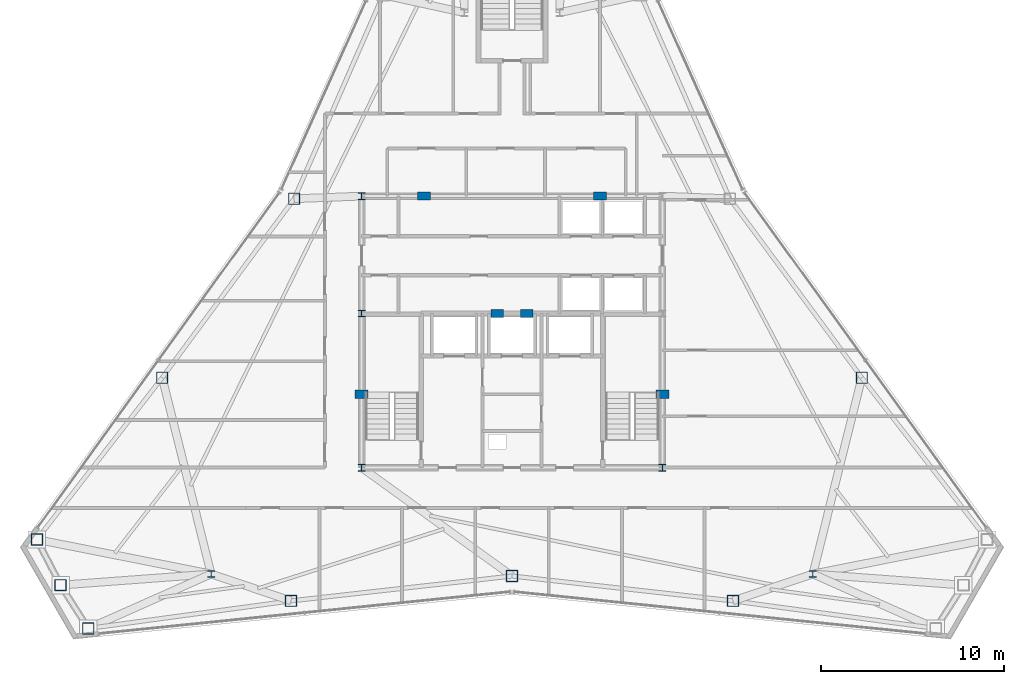
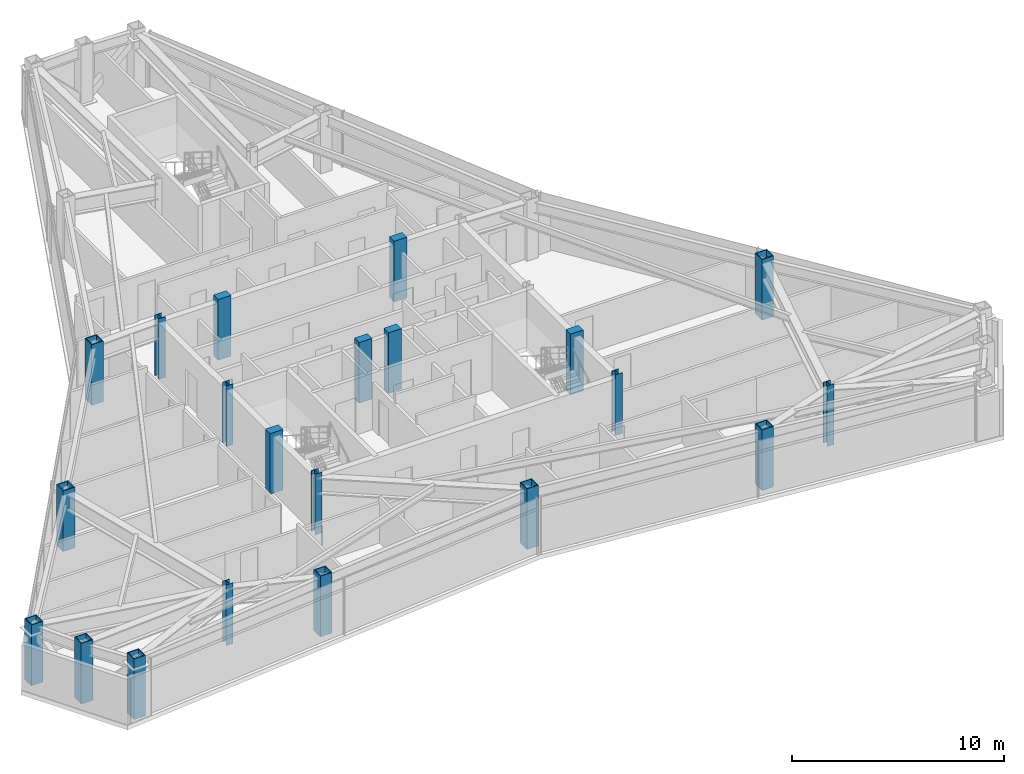
# One storey, part 1 of 12: 21 columns.
"""IFC4 building model written with IfcOpenShell, lengths in metres."""

from ifc_helpers import new_model, si_unit, direction, frame, origin, origin_2d, place, context, subcontext, project, spatial, rectangle, hollow_rectangle, i_section, extrude, material, material_profile, profile_set, type_object, element, save


model = new_model("IFC4")

# Units and contexts
model_context = context("Model", 3, precision=1e-05, world=origin(), true_north=direction((0.0, 1.0)))
body_context = subcontext(model_context, "Body", "Model", "MODEL_VIEW")
ifc_project = project(units=[si_unit("LENGTHUNIT", "METRE"), si_unit("AREAUNIT", "SQUARE_METRE"), si_unit("VOLUMEUNIT", "CUBIC_METRE"), si_unit("PLANEANGLEUNIT", "RADIAN"), si_unit("MASSUNIT", "GRAM", prefix="KILO")], contexts=[model_context])

# Site, building, storey
site_placement = place(None, origin())
site = spatial("IfcSite", under=ifc_project, at=site_placement, CompositionType="ELEMENT")
building_placement = place(site_placement, origin())
building = spatial("IfcBuilding", under=site, at=building_placement, Name="Varakhsha Concourse Tower", CompositionType="ELEMENT")
storey_placement = place(building_placement, frame((0.0, 0.0, 258.5)))
storey = spatial("IfcBuildingStorey", under=building, at=storey_placement, Name="L73", CompositionType="ELEMENT", Elevation=258.5)

# Columns
ifc_material_1 = material(Name="Structural Steel ASTM A992 Grade 50", Category="steel")
ifc_material_profile_1 = material_profile(ifc_material_1, i_section(OverallWidth=0.3740234375, OverallDepth=0.3720703125, WebThickness=0.01611328125, FlangeThickness=0.02587890625, at=origin_2d()), Name="W14X132")
ifc_profile_set_1 = profile_set([ifc_material_profile_1], Name="Structural Steel ASTM A992 Grade 50")
column_type_1 = type_object("IfcColumnType", Name="CL-CORE-W14X132", PredefinedType="COLUMN", material=ifc_profile_set_1)
for number, where, z_axis, x_axis, name in (
    (1, (31.800048828125, 16.39990234375, 0.0), (0.0, 0.0, 1.0), (1.0, 0.0, 0.0), "L73 Core Column CC-SW"),
    (2, (48.199951171875, 16.39990234375, 0.0), (0.0, 0.0, 1.0), (1.0, 0.0, 0.0), "L73 Core Column CC-SE"),
    (3, (31.800048828125, 24.800048828125, 0.0), (0.0, 0.0, 1.0), (1.0, 0.0, 0.0), "L73 Core Column CC-MW"),
    (4, (31.800048828125, 31.199951171875, 0.0), (0.0, 0.0, 1.0), (1.0, 0.0, 0.0), "L73 Core Column CC-NW"),
    (5, (23.60009765625, 10.60009765625, 0.0), (0.0, 0.0, 1.0), (1.0, 0.0, 0.0), "L73 Core Column SS-W"),
    (6, (56.39990234375, 10.60009765625, 0.0), (0.0, 0.0, 1.0), (1.0, 0.0, 0.0), "L73 Core Column SS-E"),
):
    element("IfcColumn", number, at=place(storey_placement, frame(where, z_axis=z_axis, x_axis=x_axis)), inside=storey, type_object=column_type_1, Name=name, PredefinedType="COLUMN", context=body_context, shape_type="SweptSolid", body=[
        extrude(i_section(OverallWidth=0.3740234375, OverallDepth=0.3720703125, WebThickness=0.01611328125, FlangeThickness=0.02587890625, at=origin_2d()), origin(), (0.0, 0.0, 1.0), 3.5),
    ])
ifc_material_2 = material(Name="Concrete fc 65 MPa", Category="concrete")
ifc_material_profile_2 = material_profile(ifc_material_2, rectangle(XDim=0.699951171875, YDim=0.449951171875, at=origin_2d()), Name="RC 700x450")
ifc_profile_set_2 = profile_set([ifc_material_profile_2], Name="Concrete fc 65 MPa")
column_type_2 = type_object("IfcColumnType", Name="CL-PIL-700X450", PredefinedType="PILASTER", material=ifc_profile_set_2)
for number, where, z_axis, x_axis, name in (
    (7, (31.800048828125, 20.39990234375, 0.0), (0.0, 0.0, 1.0), (1.0, 0.0, 0.0), "L73 Core Boundary Pilaster PIL-W1"),
    (8, (48.199951171875, 20.39990234375, 0.0), (0.0, 0.0, 1.0), (1.0, 0.0, 0.0), "L73 Core Boundary Pilaster PIL-E1"),
    (9, (35.199951171875, 31.199951171875, 0.0), (0.0, 0.0, 1.0), (1.0, 0.0, 0.0), "L73 Core Boundary Pilaster PIL-N1"),
    (10, (44.800048828125, 31.199951171875, 0.0), (0.0, 0.0, 1.0), (1.0, 0.0, 0.0), "L73 Core Boundary Pilaster PIL-N2"),
    (11, (39.199951171875, 24.800048828125, 0.0), (0.0, 0.0, 1.0), (1.0, 0.0, 0.0), "L73 Core Boundary Pilaster PIL-M1"),
    (12, (40.800048828125, 24.800048828125, 0.0), (0.0, 0.0, 1.0), (1.0, 0.0, 0.0), "L73 Core Boundary Pilaster PIL-M2"),
):
    element("IfcColumn", number, at=place(storey_placement, frame(where, z_axis=z_axis, x_axis=x_axis)), inside=storey, type_object=column_type_2, Name=name, PredefinedType="PILASTER", context=body_context, shape_type="SweptSolid", body=[
        extrude(rectangle(XDim=0.699951171875, YDim=0.449951171875, at=origin_2d()), origin(), (0.0, 0.0, 1.0), 3.5),
    ])
ifc_material_3 = material(Name="Structural Steel ASTM A572 Grade 50", Category="steel")
ifc_material_profile_3 = material_profile(ifc_material_3, hollow_rectangle(XDim=0.639892578125, YDim=0.639892578125, WallThickness=0.044921875, at=origin_2d()), Name="BOX 640x640x45")
ifc_profile_set_3 = profile_set([ifc_material_profile_3], Name="Structural Steel ASTM A572 Grade 50")
column_type_3 = type_object("IfcColumnType", Name="CL-TUBE-640", PredefinedType="COLUMN", material=ifc_profile_set_3)
for number, where, z_axis, x_axis, name in (
    (13, (28.125732421875, 31.0556640625, 0.0), (0.0, 0.0, 1.0), (1.0, 0.0, 0.0), "L73 Framed-Tube Column TC05"),
    (14, (20.92724609375, 21.29736328125, 0.0), (0.0, 0.0, 1.0), (1.0, 0.0, 0.0), "L73 Framed-Tube Column TC06"),
    (15, (14.10009765625, 12.47998046875, 0.0), (0.0, 0.0, 1.0), (1.0, 0.0, 0.0), "L73 Framed-Tube Column TC07"),
    (16, (15.39013671875, 9.991455078125, 0.0), (0.0, 0.0, 1.0), (1.0, 0.0, 0.0), "L73 Framed-Tube Column TC08"),
    (17, (16.900390625, 7.6298828125, 0.0), (0.0, 0.0, 1.0), (1.0, 0.0, 0.0), "L73 Framed-Tube Column TC09"),
    (18, (27.94970703125, 9.1337890625, 0.0), (0.0, 0.0, 1.0), (1.0, 0.0, 0.0), "L73 Framed-Tube Column TC10"),
    (19, (40.0, 10.48876953125, 0.0), (0.0, 0.0, 1.0), (1.0, 0.0, 0.0), "L73 Framed-Tube Column TC11"),
    (20, (52.05029296875, 9.1337890625, 0.0), (0.0, 0.0, 1.0), (1.0, 0.0, 0.0), "L73 Framed-Tube Column TC12"),
    (21, (59.07275390625, 21.29736328125, 0.0), (0.0, 0.0, 1.0), (1.0, 0.0, 0.0), "L73 Framed-Tube Column TC16"),
):
    element("IfcColumn", number, at=place(storey_placement, frame(where, z_axis=z_axis, x_axis=x_axis)), inside=storey, type_object=column_type_3, Name=name, PredefinedType="COLUMN", context=body_context, shape_type="SweptSolid", body=[
        extrude(hollow_rectangle(XDim=0.639892578125, YDim=0.639892578125, WallThickness=0.044921875, at=origin_2d()), origin(), (0.0, 0.0, 1.0), 3.5),
    ])

save(model, "model.ifc")
